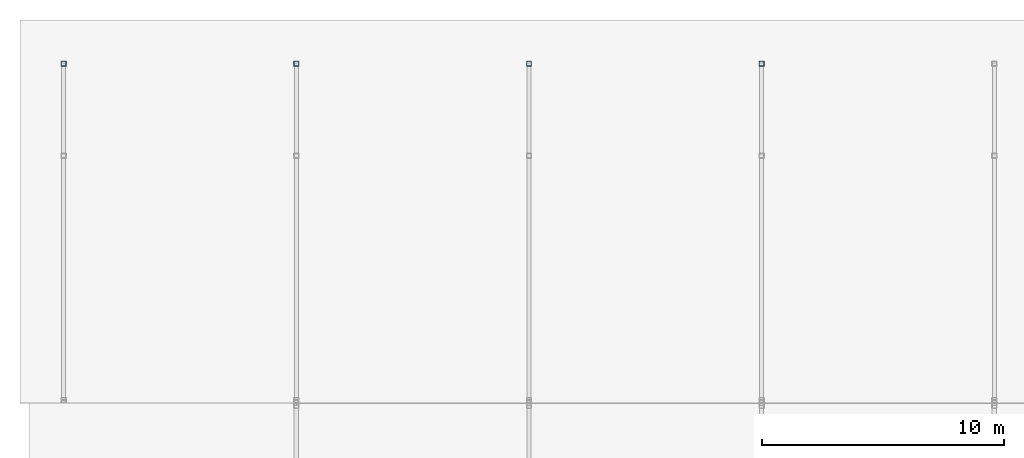
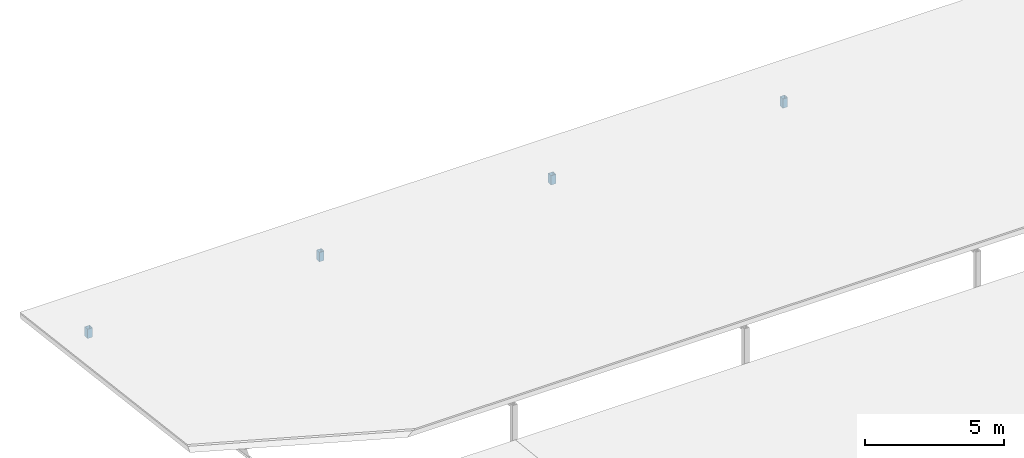
# One storey, part 9 of 11: 4 members.
"""IFC4 building model written with IfcOpenShell, lengths in metres."""

from ifc_helpers import new_model, si_unit, direction, frame, origin, origin_2d, place, context, subcontext, project, spatial, hollow_rectangle, extrude, material, material_profile, profile_set, type_object, element, save


model = new_model("IFC4")

# Units and contexts
model_context = context("Model", 3, precision=1e-05, world=origin(), true_north=direction((0.0, 1.0)))
body_context = subcontext(model_context, "Body", "Model", "MODEL_VIEW")
ifc_project = project(units=[si_unit("LENGTHUNIT", "METRE"), si_unit("AREAUNIT", "SQUARE_METRE"), si_unit("VOLUMEUNIT", "CUBIC_METRE"), si_unit("PLANEANGLEUNIT", "RADIAN"), si_unit("MASSUNIT", "GRAM", prefix="KILO")], contexts=[model_context])

# Site, building, storey
site_placement = place(None, origin())
site = spatial("IfcSite", under=ifc_project, at=site_placement, CompositionType="ELEMENT")
building_placement = place(site_placement, origin())
building = spatial("IfcBuilding", under=site, at=building_placement, Name="Vondelvale Polytechnic", CompositionType="ELEMENT")
storey_placement = place(building_placement, frame((0.0, 0.0, 34.800048828125)))
storey = spatial("IfcBuildingStorey", under=building, at=storey_placement, Name="Roof", CompositionType="ELEMENT", Elevation=34.800048828125)

# Members
ifc_material = material(Name="Steel C350L0 (fy = 350 MPa)", Category="steel")
ifc_material_profile = material_profile(ifc_material, hollow_rectangle(XDim=0.199951171875, YDim=0.199951171875, WallThickness=0.009033203125, at=origin_2d()), Name="200x200x9.0SHS")
ifc_profile_set = profile_set([ifc_material_profile], Name="Steel C350L0 (fy = 350 MPa)")
member_type = type_object("IfcMemberType", Name="ROOF TRUSS POST 200SHS", PredefinedType="POST", material=ifc_profile_set)
for number, where, z_axis, x_axis, name in (
    (1, (0.0, 34.39990234375, 0.0), (0.0, 0.0, 1.0), (1.0, 0.0, 0.0), "Corner wing roof post 2"),
    (2, (9.60009765625, 34.39990234375, 0.0), (0.0, 0.0, 1.0), (1.0, 0.0, 0.0), "Corner wing roof post 2"),
    (3, (19.199951171875, 34.39990234375, 0.0), (0.0, 0.0, 1.0), (1.0, 0.0, 0.0), "Corner wing roof post 2"),
    (4, (28.800048828125, 34.39990234375, 0.0), (0.0, 0.0, 1.0), (1.0, 0.0, 0.0), "Corner wing roof post 2"),
):
    element("IfcMember", number, at=place(storey_placement, frame(where, z_axis=z_axis, x_axis=x_axis)), inside=storey, type_object=member_type, Name=name, PredefinedType="POST", context=body_context, shape_type="SweptSolid", body=[
        extrude(hollow_rectangle(XDim=0.199951171875, YDim=0.199951171875, WallThickness=0.009033203125, at=origin_2d()), origin(), (0.0, 0.0, 1.0), 0.410888671875),
    ])

save(model, "model.ifc")
